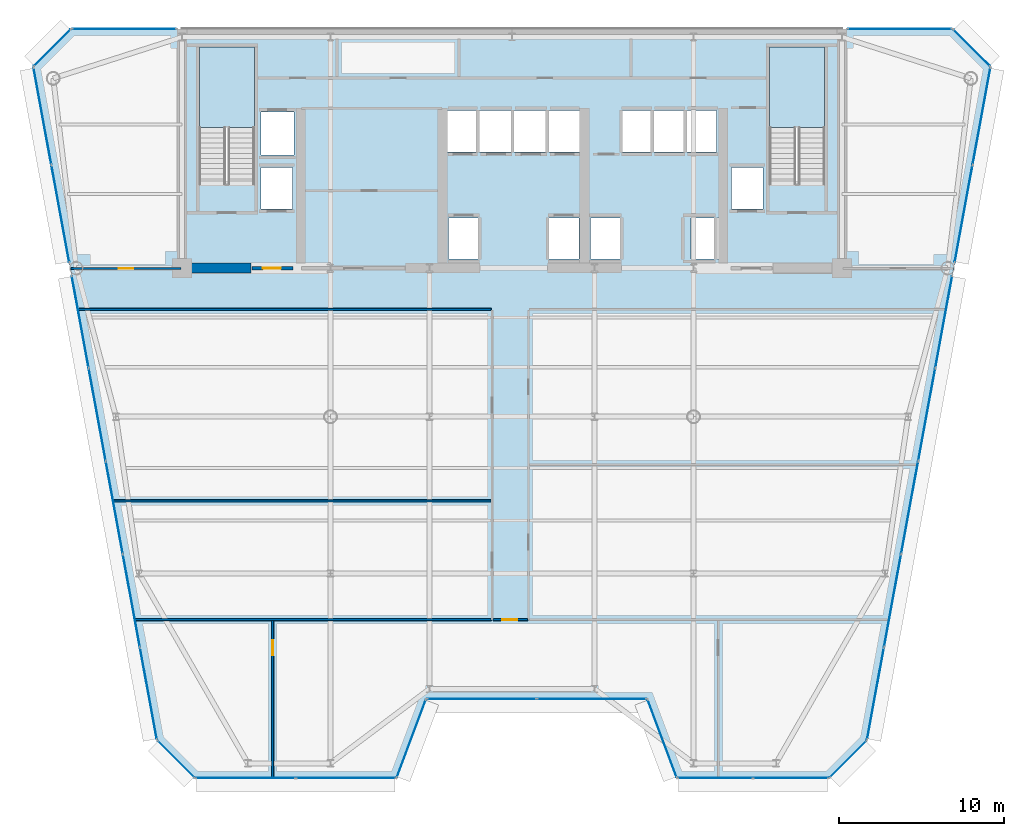
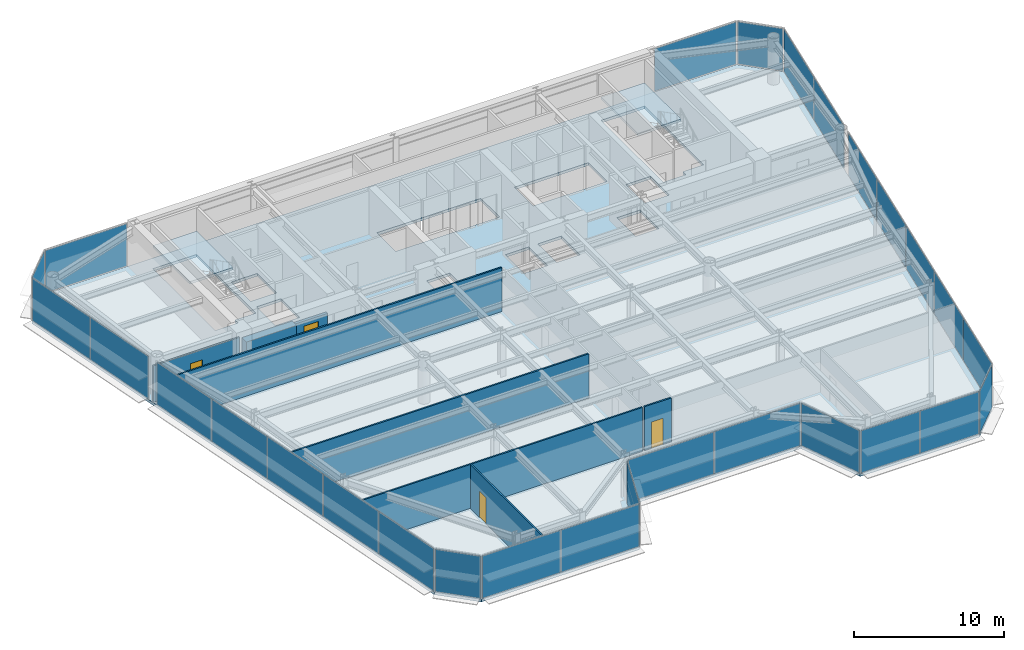
# One storey, part 9 of 16: 28 plates, 8 walls, 4 doors, 3 slabs, 4 openings, 17 elements without a shape of their own.
"""IFC4 building model written with IfcOpenShell, lengths in metres."""

from ifc_helpers import new_model, si_unit, direction, frame, frame_2d, origin, origin_2d, place, context, subcontext, project, spatial, polyline, rectangle, outline, extrude, source, transform, mapped, material, layer, layer_set, type_object, element, fill, aggregate, save


model = new_model("IFC4")

# Units and contexts
model_context = context("Model", 3, precision=1e-05, world=origin(), true_north=direction((0.0, 1.0)))
body_context = subcontext(model_context, "Body", "Model", "MODEL_VIEW")
ifc_project = project(units=[si_unit("LENGTHUNIT", "METRE"), si_unit("AREAUNIT", "SQUARE_METRE"), si_unit("VOLUMEUNIT", "CUBIC_METRE"), si_unit("PLANEANGLEUNIT", "RADIAN"), si_unit("MASSUNIT", "GRAM", prefix="KILO")], contexts=[model_context])

# Site, building, storey
site_placement = place(None, origin())
site = spatial("IfcSite", under=ifc_project, at=site_placement, CompositionType="ELEMENT")
building_placement = place(site_placement, origin())
building = spatial("IfcBuilding", under=site, at=building_placement, Name="Vaeldorn Concourse Tower", CompositionType="ELEMENT")
storey_placement = place(building_placement, frame((0.0, 0.0, 191.800048828125)))
storey = spatial("IfcBuildingStorey", under=building, at=storey_placement, Name="L49", CompositionType="ELEMENT", Elevation=191.800048828125)

# Stair, slab
ifc_material_1 = material(Name="Precast concrete C40/50", Category="concrete")
stair_type = type_object("IfcStairType", Name="STR-DOG-24x158", PredefinedType="HALF_TURN_STAIR", material=ifc_material_1)
stair_1_placement = place(storey_placement, origin())
stair_1 = element("IfcStair", 1, at=stair_1_placement, inside=storey, type_object=stair_type, Name="L49 West Core Exit Stair ST-1", PredefinedType="HALF_TURN_STAIR")
ifc_material_2 = material(Name="Concrete C40/50", Category="concrete")
ifc_layer_1 = layer(ifc_material_2, 0.199951171875)
ifc_layer_set_1 = layer_set([ifc_layer_1], Name="Concrete C40/50")
slab_type_1 = type_object("IfcSlabType", Name="SL-STAIR-LANDING", PredefinedType="LANDING", material=ifc_layer_set_1)
slab_1_placement = place(storey_placement, frame((0.0, 0.0, 1.699951171875)))
slab_1 = element("IfcSlab", 2, at=slab_1_placement, type_object=slab_type_1, Name="ST-1 landing 1", PredefinedType="LANDING", context=body_context, shape_type="SweptSolid", body=[
    extrude(outline(polyline([(18.39990234375, 45.010009765625), (18.39990234375, 49.89990234375), (15.050048828125, 49.89990234375), (15.050048828125, 45.010009765625), (18.39990234375, 45.010009765625)])), origin(), (0.0, 0.0, 1.0), 0.199951171875),
])
aggregate(stair_1, [slab_1])

stair_2_placement = place(storey_placement, origin())
stair_2 = element("IfcStair", 3, at=stair_2_placement, inside=storey, type_object=stair_type, Name="L49 East Core Exit Stair ST-2", PredefinedType="HALF_TURN_STAIR")
slab_2_placement = place(storey_placement, frame((0.0, 0.0, 1.699951171875)))
slab_2 = element("IfcSlab", 4, at=slab_2_placement, type_object=slab_type_1, Name="ST-2 landing 1", PredefinedType="LANDING", context=body_context, shape_type="SweptSolid", body=[
    extrude(outline(polyline([(52.949951171875, 45.010009765625), (52.949951171875, 49.89990234375), (49.60009765625, 49.89990234375), (49.60009765625, 45.010009765625), (52.949951171875, 45.010009765625)])), origin(), (0.0, 0.0, 1.0), 0.199951171875),
])
aggregate(stair_2, [slab_2])

# Slab
ifc_layer_2 = layer(ifc_material_2, 0.219970703125)
ifc_layer_set_2 = layer_set([ifc_layer_2], Name="Concrete C40/50")
slab_type_2 = type_object("IfcSlabType", Name="SL-TYP-220", PredefinedType="FLOOR", material=ifc_layer_set_2)
slab_3_placement = place(storey_placement, frame((0.0, 0.0, -0.219970703125)))
element("IfcSlab", 5, at=slab_3_placement, inside=storey, type_object=slab_type_2, Name="Structural Floor Slab L49", PredefinedType="FLOOR", context=body_context, shape_type="SweptSolid", body=[
    extrude(outline(polyline([(14.791015625, 5.60009765625), (27.0, 5.60009765625), (28.800048828125, 10.39990234375), (42.199951171875, 10.39990234375), (44.0, 5.60009765625), (53.208984375, 5.60009765625), (55.509033203125, 7.89990234375), (63.0, 48.699951171875), (60.699951171875, 51.0), (7.300048828125, 51.0), (5.0, 48.699951171875), (12.490966796875, 7.89990234375), (14.791015625, 5.60009765625)]), holes=[polyline([(18.39990234375, 42.0), (18.39990234375, 49.89990234375), (15.050048828125, 49.89990234375), (15.050048828125, 41.60009765625), (16.800048828125, 41.60009765625), (16.800048828125, 42.0), (18.39990234375, 42.0)]), polyline([(52.949951171875, 42.0), (52.949951171875, 49.89990234375), (49.60009765625, 49.89990234375), (49.60009765625, 41.60009765625), (51.35009765625, 41.60009765625), (51.35009765625, 42.0), (52.949951171875, 42.0)]), polyline([(30.14990234375, 37.050048828125), (31.949951171875, 37.050048828125), (31.949951171875, 39.550048828125), (30.14990234375, 39.550048828125), (30.14990234375, 37.050048828125)]), polyline([(36.25, 37.050048828125), (38.050048828125, 37.050048828125), (38.050048828125, 39.550048828125), (36.25, 39.550048828125), (36.25, 37.050048828125)]), polyline([(30.10009765625, 43.550048828125), (38.10009765625, 43.550048828125), (38.10009765625, 46.050048828125), (30.10009765625, 46.050048828125), (30.10009765625, 43.550048828125)]), polyline([(38.75, 37.050048828125), (40.550048828125, 37.050048828125), (40.550048828125, 39.550048828125), (38.75, 39.550048828125), (38.75, 37.050048828125)]), polyline([(44.85009765625, 37.050048828125), (46.64990234375, 37.050048828125), (46.64990234375, 39.550048828125), (44.85009765625, 39.550048828125), (44.85009765625, 37.050048828125)]), polyline([(40.699951171875, 43.550048828125), (46.39990234375, 43.550048828125), (46.39990234375, 46.050048828125), (40.699951171875, 46.050048828125), (40.699951171875, 43.550048828125)]), polyline([(18.800048828125, 43.35009765625), (20.800048828125, 43.35009765625), (20.800048828125, 45.949951171875), (18.800048828125, 45.949951171875), (18.800048828125, 43.35009765625)]), polyline([(18.800048828125, 40.10009765625), (20.699951171875, 40.10009765625), (20.699951171875, 42.60009765625), (18.800048828125, 42.60009765625), (18.800048828125, 40.10009765625)]), polyline([(47.300048828125, 40.10009765625), (49.199951171875, 40.10009765625), (49.199951171875, 42.60009765625), (47.300048828125, 42.60009765625), (47.300048828125, 40.10009765625)])]), origin(), (0.0, 0.0, 1.0), 0.219970703125),
])

# Curtain wall, plate
ifc_material_3 = material(Name="Anodised Bronze Aluminium", Category="aluminium")
ifc_layer_3 = layer(ifc_material_3, 0.18994140625)
ifc_layer_set_3 = layer_set([ifc_layer_3], Name="Anodised Bronze Aluminium")
curtain_wall_type = type_object("IfcCurtainWallType", Name="CW-SYS-03", PredefinedType="NOTDEFINED", material=ifc_layer_set_3)
curtain_wall_1_placement = place(storey_placement, origin())
curtain_wall_1 = element("IfcCurtainWall", 6, at=curtain_wall_1_placement, inside=storey, type_object=curtain_wall_type, Name="Unitised Curtain Wall CW-L49-E02-1", PredefinedType="NOTDEFINED")
ifc_material_4 = material(Name="Bronze Tinted Low-E Insulated Glass", Category="glass")
ifc_layer_4 = layer(ifc_material_4, 0.031982421875)
ifc_layer_set_4 = layer_set([ifc_layer_4], Name="Bronze Tinted Low-E Insulated Glass")
plate_type = type_object("IfcPlateType", Name="CWP-VISION-32", PredefinedType="CURTAIN_PANEL", material=ifc_layer_set_4)
shared_shape_1 = source(origin(), body_context, "Body", "SweptSolid", [
    extrude(rectangle(XDim=4.996337890625, YDim=0.031982421875, at=origin_2d()), origin(), (0.0, 0.0, 1.0), 3.449951171875),
])
plate_1_placement = place(storey_placement, frame((27.89990234375, 8.0, 0.06494140625), z_axis=(0.0, 0.0, 1.0), x_axis=(0.351123441595, 0.936329177566, 0.0)))
plate_1 = element("IfcPlate", 7, at=plate_1_placement, type_object=plate_type, Name="CW-03 panel 1.1", PredefinedType="CURTAIN_PANEL", context=body_context, shape_type="MappedRepresentation", body=[
    mapped(shared_shape_1, transform((0.0, 0.0, 0.0), scale=1.0)),
])
aggregate(curtain_wall_1, [plate_1])

curtain_wall_2_placement = place(storey_placement, origin())
curtain_wall_2 = element("IfcCurtainWall", 8, at=curtain_wall_2_placement, inside=storey, type_object=curtain_wall_type, Name="Unitised Curtain Wall CW-L49-E04-1", PredefinedType="NOTDEFINED")
plate_2_placement = place(storey_placement, frame((43.10009765625, 8.0, 0.06494140625), z_axis=(0.0, 0.0, 1.0), x_axis=(0.351123441595, -0.936329177566, 0.0)))
plate_2 = element("IfcPlate", 9, at=plate_2_placement, type_object=plate_type, Name="CW-03 panel 1.1", PredefinedType="CURTAIN_PANEL", context=body_context, shape_type="MappedRepresentation", body=[
    mapped(shared_shape_1, transform((0.0, 0.0, 0.0), scale=1.0)),
])
aggregate(curtain_wall_2, [plate_2])

# Curtain wall, plates
curtain_wall_3_placement = place(storey_placement, origin())
curtain_wall_3 = element("IfcCurtainWall", 10, at=curtain_wall_3_placement, inside=storey, type_object=curtain_wall_type, Name="Unitised Curtain Wall CW-L49-E03-1", PredefinedType="NOTDEFINED")
shared_shape_2 = source(origin(), body_context, "Body", "SweptSolid", [
    extrude(rectangle(XDim=6.6025390625, YDim=0.031982421875, at=origin_2d()), origin(), (0.0, 0.0, 1.0), 3.449951171875),
])
plate_3_placement = place(storey_placement, frame((32.166259765625, 10.39990234375, 0.06494140625), z_axis=(0.0, 0.0, 1.0), x_axis=(1.0, 0.0, 0.0)))
plate_3 = element("IfcPlate", 11, at=plate_3_placement, type_object=plate_type, Name="CW-03 panel 1.1", PredefinedType="CURTAIN_PANEL", context=body_context, shape_type="MappedRepresentation", body=[
    mapped(shared_shape_2, transform((0.0, 0.0, 0.0), scale=1.0)),
])
plate_4_placement = place(storey_placement, frame((38.833740234375, 10.39990234375, 0.06494140625), z_axis=(0.0, 0.0, 1.0), x_axis=(1.0, 0.0, 0.0)))
plate_4 = element("IfcPlate", 12, at=plate_4_placement, type_object=plate_type, Name="CW-03 panel 2.1", PredefinedType="CURTAIN_PANEL", context=body_context, shape_type="MappedRepresentation", body=[
    mapped(shared_shape_2, transform((0.0, 0.0, 0.0), scale=1.0)),
])
aggregate(curtain_wall_3, [plate_3, plate_4])

# Curtain wall, plate
curtain_wall_4_placement = place(storey_placement, origin())
curtain_wall_4 = element("IfcCurtainWall", 13, at=curtain_wall_4_placement, inside=storey, type_object=curtain_wall_type, Name="Unitised Curtain Wall CW-L49-E06-1", PredefinedType="NOTDEFINED")
shared_shape_3 = source(origin(), body_context, "Body", "SweptSolid", [
    extrude(rectangle(XDim=3.122802734375, YDim=0.031982421875, at=origin_2d()), origin(), (0.0, 0.0, 1.0), 3.449951171875),
])
plate_5_placement = place(storey_placement, frame((54.35888671875, 6.75, 0.06494140625), z_axis=(0.0, 0.0, 1.0), x_axis=(0.707106781187, 0.707106781187, 0.0)))
plate_5 = element("IfcPlate", 14, at=plate_5_placement, type_object=plate_type, Name="CW-03 panel 1.1", PredefinedType="CURTAIN_PANEL", context=body_context, shape_type="MappedRepresentation", body=[
    mapped(shared_shape_3, transform((0.0, 0.0, 0.0), scale=1.0)),
])
aggregate(curtain_wall_4, [plate_5])

curtain_wall_5_placement = place(storey_placement, origin())
curtain_wall_5 = element("IfcCurtainWall", 15, at=curtain_wall_5_placement, inside=storey, type_object=curtain_wall_type, Name="Unitised Curtain Wall CW-L49-E08-1", PredefinedType="NOTDEFINED")
plate_6_placement = place(storey_placement, frame((61.85009765625, 49.85009765625, 0.06494140625), z_axis=(0.0, 0.0, 1.0), x_axis=(-0.707106781187, 0.707106781187, 0.0)))
plate_6 = element("IfcPlate", 16, at=plate_6_placement, type_object=plate_type, Name="CW-03 panel 1.1", PredefinedType="CURTAIN_PANEL", context=body_context, shape_type="MappedRepresentation", body=[
    mapped(shared_shape_3, transform((0.0, 0.0, 0.0), scale=1.0)),
])
aggregate(curtain_wall_5, [plate_6])

curtain_wall_6_placement = place(storey_placement, origin())
curtain_wall_6 = element("IfcCurtainWall", 17, at=curtain_wall_6_placement, inside=storey, type_object=curtain_wall_type, Name="Unitised Curtain Wall CW-L49-E10-1", PredefinedType="NOTDEFINED")
plate_7_placement = place(storey_placement, frame((6.14990234375, 49.85009765625, 0.06494140625), z_axis=(0.0, 0.0, 1.0), x_axis=(-0.707106781187, -0.707106781187, 0.0)))
plate_7 = element("IfcPlate", 18, at=plate_7_placement, type_object=plate_type, Name="CW-03 panel 1.1", PredefinedType="CURTAIN_PANEL", context=body_context, shape_type="MappedRepresentation", body=[
    mapped(shared_shape_3, transform((0.0, 0.0, 0.0), scale=1.0)),
])
aggregate(curtain_wall_6, [plate_7])

curtain_wall_7_placement = place(storey_placement, origin())
curtain_wall_7 = element("IfcCurtainWall", 19, at=curtain_wall_7_placement, inside=storey, type_object=curtain_wall_type, Name="Unitised Curtain Wall CW-L49-E12-1", PredefinedType="NOTDEFINED")
plate_8_placement = place(storey_placement, frame((13.64111328125, 6.75, 0.06494140625), z_axis=(0.0, 0.0, 1.0), x_axis=(0.707106781187, -0.707106781187, 0.0)))
plate_8 = element("IfcPlate", 20, at=plate_8_placement, type_object=plate_type, Name="CW-03 panel 1.1", PredefinedType="CURTAIN_PANEL", context=body_context, shape_type="MappedRepresentation", body=[
    mapped(shared_shape_3, transform((0.0, 0.0, 0.0), scale=1.0)),
])
aggregate(curtain_wall_7, [plate_8])

curtain_wall_8_placement = place(storey_placement, origin())
curtain_wall_8 = element("IfcCurtainWall", 21, at=curtain_wall_8_placement, inside=storey, type_object=curtain_wall_type, Name="Unitised Curtain Wall CW-L49-E09-1", PredefinedType="NOTDEFINED")
shared_shape_4 = source(origin(), body_context, "Body", "SweptSolid", [
    extrude(rectangle(XDim=6.27490234375, YDim=0.031982421875, at=origin_2d()), origin(), (0.0, 0.0, 1.0), 3.449951171875),
])
plate_9_placement = place(storey_placement, frame((57.49755859375, 51.0, 0.06494140625), z_axis=(0.0, 0.0, 1.0), x_axis=(-1.0, 0.0, 0.0)))
plate_9 = element("IfcPlate", 22, at=plate_9_placement, type_object=plate_type, Name="CW-03 panel 1.1", PredefinedType="CURTAIN_PANEL", context=body_context, shape_type="MappedRepresentation", body=[
    mapped(shared_shape_4, transform((0.0, 0.0, 0.0), scale=1.0)),
])
aggregate(curtain_wall_8, [plate_9])

curtain_wall_9_placement = place(storey_placement, origin())
curtain_wall_9 = element("IfcCurtainWall", 23, at=curtain_wall_9_placement, inside=storey, type_object=curtain_wall_type, Name="Unitised Curtain Wall CW-L49-E09-2", PredefinedType="NOTDEFINED")
plate_10_placement = place(storey_placement, frame((10.50244140625, 51.0, 0.06494140625), z_axis=(0.0, 0.0, 1.0), x_axis=(-1.0, 0.0, 0.0)))
plate_10 = element("IfcPlate", 24, at=plate_10_placement, type_object=plate_type, Name="CW-03 panel 1.1", PredefinedType="CURTAIN_PANEL", context=body_context, shape_type="MappedRepresentation", body=[
    mapped(shared_shape_4, transform((0.0, 0.0, 0.0), scale=1.0)),
])
aggregate(curtain_wall_9, [plate_10])

# Curtain wall, plates
curtain_wall_10_placement = place(storey_placement, origin())
curtain_wall_10 = element("IfcCurtainWall", 25, at=curtain_wall_10_placement, inside=storey, type_object=curtain_wall_type, Name="Unitised Curtain Wall CW-L49-E07-1", PredefinedType="NOTDEFINED")
shared_shape_5 = source(origin(), body_context, "Body", "SweptSolid", [
    extrude(rectangle(XDim=5.63330078125, YDim=0.031982421875, at=origin_2d()), origin(), (0.0, 0.0, 1.0), 3.449951171875),
])
plate_11_placement = place(storey_placement, frame((56.029296875, 10.734375, 0.06494140625), z_axis=(0.0, 0.0, 1.0), x_axis=(0.180585309951, 0.983559325018, 0.0)))
plate_11 = element("IfcPlate", 26, at=plate_11_placement, type_object=plate_type, Name="CW-03 panel 1.1", PredefinedType="CURTAIN_PANEL", context=body_context, shape_type="MappedRepresentation", body=[
    mapped(shared_shape_5, transform((0.0, 0.0, 0.0), scale=1.0)),
])
plate_12_placement = place(storey_placement, frame((60.1630859375, 33.249267578125, 0.06494140625), z_axis=(0.0, 0.0, 1.0), x_axis=(0.180585309951, 0.983559325018, 0.0)))
plate_12 = element("IfcPlate", 27, at=plate_12_placement, type_object=plate_type, Name="CW-03 panel 5.1", PredefinedType="CURTAIN_PANEL", context=body_context, shape_type="MappedRepresentation", body=[
    mapped(shared_shape_5, transform((0.0, 0.0, 0.0), scale=1.0)),
])

curtain_wall_11_placement = place(storey_placement, origin())
curtain_wall_11 = element("IfcCurtainWall", 28, at=curtain_wall_11_placement, inside=storey, type_object=curtain_wall_type, Name="Unitised Curtain Wall CW-L49-E11-2", PredefinedType="NOTDEFINED")
plate_13_placement = place(storey_placement, frame((7.8369140625, 33.249267578125, 0.06494140625), z_axis=(0.0, 0.0, 1.0), x_axis=(0.180585309951, -0.983559325018, 0.0)))
plate_13 = element("IfcPlate", 29, at=plate_13_placement, type_object=plate_type, Name="CW-03 panel 1.1", PredefinedType="CURTAIN_PANEL", context=body_context, shape_type="MappedRepresentation", body=[
    mapped(shared_shape_5, transform((0.0, 0.0, 0.0), scale=1.0)),
])
plate_14_placement = place(storey_placement, frame((11.970703125, 10.734375, 0.06494140625), z_axis=(0.0, 0.0, 1.0), x_axis=(0.180585309951, -0.983559325018, 0.0)))
plate_14 = element("IfcPlate", 30, at=plate_14_placement, type_object=plate_type, Name="CW-03 panel 5.1", PredefinedType="CURTAIN_PANEL", context=body_context, shape_type="MappedRepresentation", body=[
    mapped(shared_shape_5, transform((0.0, 0.0, 0.0), scale=1.0)),
])

# Plate
shared_shape_6 = source(origin(), body_context, "Body", "SweptSolid", [
    extrude(rectangle(XDim=5.666015625, YDim=0.031982421875, at=origin_2d()), origin(), (0.0, 0.0, 1.0), 3.449951171875),
])
plate_15_placement = place(storey_placement, frame((57.061279296875, 16.35498046875, 0.06494140625), z_axis=(0.0, 0.0, 1.0), x_axis=(0.180585309951, 0.983559325018, 0.0)))
plate_15 = element("IfcPlate", 31, at=plate_15_placement, type_object=plate_type, Name="CW-03 panel 2.1", PredefinedType="CURTAIN_PANEL", context=body_context, shape_type="MappedRepresentation", body=[
    mapped(shared_shape_6, transform((0.0, 0.0, 0.0), scale=1.0)),
])

plate_16_placement = place(storey_placement, frame((58.09619140625, 21.99169921875, 0.06494140625), z_axis=(0.0, 0.0, 1.0), x_axis=(0.180585309951, 0.983559325018, 0.0)))
plate_16 = element("IfcPlate", 32, at=plate_16_placement, type_object=plate_type, Name="CW-03 panel 3.1", PredefinedType="CURTAIN_PANEL", context=body_context, shape_type="MappedRepresentation", body=[
    mapped(shared_shape_6, transform((0.0, 0.0, 0.0), scale=1.0)),
])

plate_17_placement = place(storey_placement, frame((59.131103515625, 27.62841796875, 0.06494140625), z_axis=(0.0, 0.0, 1.0), x_axis=(0.180585309951, 0.983559325018, 0.0)))
plate_17 = element("IfcPlate", 33, at=plate_17_placement, type_object=plate_type, Name="CW-03 panel 4.1", PredefinedType="CURTAIN_PANEL", context=body_context, shape_type="MappedRepresentation", body=[
    mapped(shared_shape_6, transform((0.0, 0.0, 0.0), scale=1.0)),
])

aggregate(curtain_wall_10, [plate_11, plate_15, plate_16, plate_17, plate_12])

plate_18_placement = place(storey_placement, frame((8.868896484375, 27.62841796875, 0.06494140625), z_axis=(0.0, 0.0, 1.0), x_axis=(0.180585309951, -0.983559325018, 0.0)))
plate_18 = element("IfcPlate", 34, at=plate_18_placement, type_object=plate_type, Name="CW-03 panel 2.1", PredefinedType="CURTAIN_PANEL", context=body_context, shape_type="MappedRepresentation", body=[
    mapped(shared_shape_6, transform((0.0, 0.0, 0.0), scale=1.0)),
])

plate_19_placement = place(storey_placement, frame((9.90380859375, 21.99169921875, 0.06494140625), z_axis=(0.0, 0.0, 1.0), x_axis=(0.180585309951, -0.983559325018, 0.0)))
plate_19 = element("IfcPlate", 35, at=plate_19_placement, type_object=plate_type, Name="CW-03 panel 3.1", PredefinedType="CURTAIN_PANEL", context=body_context, shape_type="MappedRepresentation", body=[
    mapped(shared_shape_6, transform((0.0, 0.0, 0.0), scale=1.0)),
])

plate_20_placement = place(storey_placement, frame((10.938720703125, 16.35498046875, 0.06494140625), z_axis=(0.0, 0.0, 1.0), x_axis=(0.180585309951, -0.983559325018, 0.0)))
plate_20 = element("IfcPlate", 36, at=plate_20_placement, type_object=plate_type, Name="CW-03 panel 4.1", PredefinedType="CURTAIN_PANEL", context=body_context, shape_type="MappedRepresentation", body=[
    mapped(shared_shape_6, transform((0.0, 0.0, 0.0), scale=1.0)),
])

aggregate(curtain_wall_11, [plate_13, plate_18, plate_19, plate_20, plate_14])

# Curtain wall, plates
curtain_wall_12_placement = place(storey_placement, origin())
curtain_wall_12 = element("IfcCurtainWall", 37, at=curtain_wall_12_placement, inside=storey, type_object=curtain_wall_type, Name="Unitised Curtain Wall CW-L49-E07-2", PredefinedType="NOTDEFINED")
shared_shape_7 = source(origin(), body_context, "Body", "SweptSolid", [
    extrude(rectangle(XDim=5.9482421875, YDim=0.031982421875, at=origin_2d()), origin(), (0.0, 0.0, 1.0), 3.449951171875),
])
plate_21_placement = place(storey_placement, frame((61.365234375, 39.796630859375, 0.06494140625), z_axis=(0.0, 0.0, 1.0), x_axis=(0.180584576845, 0.983559459619, 0.0)))
plate_21 = element("IfcPlate", 38, at=plate_21_placement, type_object=plate_type, Name="CW-03 panel 1.1", PredefinedType="CURTAIN_PANEL", context=body_context, shape_type="MappedRepresentation", body=[
    mapped(shared_shape_7, transform((0.0, 0.0, 0.0), scale=1.0)),
])
plate_22_placement = place(storey_placement, frame((62.451171875, 45.7109375, 0.06494140625), z_axis=(0.0, 0.0, 1.0), x_axis=(0.180584576845, 0.983559459619, 0.0)))
plate_22 = element("IfcPlate", 39, at=plate_22_placement, type_object=plate_type, Name="CW-03 panel 2.1", PredefinedType="CURTAIN_PANEL", context=body_context, shape_type="MappedRepresentation", body=[
    mapped(shared_shape_7, transform((0.0, 0.0, 0.0), scale=1.0)),
])
aggregate(curtain_wall_12, [plate_21, plate_22])

curtain_wall_13_placement = place(storey_placement, origin())
curtain_wall_13 = element("IfcCurtainWall", 40, at=curtain_wall_13_placement, inside=storey, type_object=curtain_wall_type, Name="Unitised Curtain Wall CW-L49-E11-1", PredefinedType="NOTDEFINED")
plate_23_placement = place(storey_placement, frame((5.548828125, 45.7109375, 0.06494140625), z_axis=(0.0, 0.0, 1.0), x_axis=(0.180584576845, -0.983559459619, 0.0)))
plate_23 = element("IfcPlate", 41, at=plate_23_placement, type_object=plate_type, Name="CW-03 panel 1.1", PredefinedType="CURTAIN_PANEL", context=body_context, shape_type="MappedRepresentation", body=[
    mapped(shared_shape_7, transform((0.0, 0.0, 0.0), scale=1.0)),
])
plate_24_placement = place(storey_placement, frame((6.634765625, 39.796630859375, 0.06494140625), z_axis=(0.0, 0.0, 1.0), x_axis=(0.180584576845, -0.983559459619, 0.0)))
plate_24 = element("IfcPlate", 42, at=plate_24_placement, type_object=plate_type, Name="CW-03 panel 2.1", PredefinedType="CURTAIN_PANEL", context=body_context, shape_type="MappedRepresentation", body=[
    mapped(shared_shape_7, transform((0.0, 0.0, 0.0), scale=1.0)),
])
aggregate(curtain_wall_13, [plate_23, plate_24])

curtain_wall_14_placement = place(storey_placement, origin())
curtain_wall_14 = element("IfcCurtainWall", 43, at=curtain_wall_14_placement, inside=storey, type_object=curtain_wall_type, Name="Unitised Curtain Wall CW-L49-E01-1", PredefinedType="NOTDEFINED")
shared_shape_8 = source(origin(), body_context, "Body", "SweptSolid", [
    extrude(rectangle(XDim=6.007080078125, YDim=0.031982421875, at=origin_2d()), origin(), (0.0, 0.0, 1.0), 3.449951171875),
])
plate_25_placement = place(storey_placement, frame((17.859619140625, 5.60009765625, 0.06494140625), z_axis=(0.0, 0.0, 1.0), x_axis=(1.0, 0.0, 0.0)))
plate_25 = element("IfcPlate", 44, at=plate_25_placement, type_object=plate_type, Name="CW-03 panel 1.1", PredefinedType="CURTAIN_PANEL", context=body_context, shape_type="MappedRepresentation", body=[
    mapped(shared_shape_8, transform((0.0, 0.0, 0.0), scale=1.0)),
])
plate_26_placement = place(storey_placement, frame((23.931396484375, 5.60009765625, 0.06494140625), z_axis=(0.0, 0.0, 1.0), x_axis=(1.0, 0.0, 0.0)))
plate_26 = element("IfcPlate", 45, at=plate_26_placement, type_object=plate_type, Name="CW-03 panel 2.1", PredefinedType="CURTAIN_PANEL", context=body_context, shape_type="MappedRepresentation", body=[
    mapped(shared_shape_8, transform((0.0, 0.0, 0.0), scale=1.0)),
])
aggregate(curtain_wall_14, [plate_25, plate_26])

curtain_wall_15_placement = place(storey_placement, origin())
curtain_wall_15 = element("IfcCurtainWall", 46, at=curtain_wall_15_placement, inside=storey, type_object=curtain_wall_type, Name="Unitised Curtain Wall CW-L49-E05-1", PredefinedType="NOTDEFINED")
shared_shape_9 = source(origin(), body_context, "Body", "SweptSolid", [
    extrude(rectangle(XDim=4.507080078125, YDim=0.031982421875, at=origin_2d()), origin(), (0.0, 0.0, 1.0), 3.449951171875),
])
plate_27_placement = place(storey_placement, frame((46.318603515625, 5.60009765625, 0.06494140625), z_axis=(0.0, 0.0, 1.0), x_axis=(1.0, 0.0, 0.0)))
plate_27 = element("IfcPlate", 47, at=plate_27_placement, type_object=plate_type, Name="CW-03 panel 1.1", PredefinedType="CURTAIN_PANEL", context=body_context, shape_type="MappedRepresentation", body=[
    mapped(shared_shape_9, transform((0.0, 0.0, 0.0), scale=1.0)),
])
plate_28_placement = place(storey_placement, frame((50.890380859375, 5.60009765625, 0.06494140625), z_axis=(0.0, 0.0, 1.0), x_axis=(1.0, 0.0, 0.0)))
plate_28 = element("IfcPlate", 48, at=plate_28_placement, type_object=plate_type, Name="CW-03 panel 2.1", PredefinedType="CURTAIN_PANEL", context=body_context, shape_type="MappedRepresentation", body=[
    mapped(shared_shape_9, transform((0.0, 0.0, 0.0), scale=1.0)),
])
aggregate(curtain_wall_15, [plate_27, plate_28])

# Walls
ifc_material_5 = material(Name="Concrete C50/60", Category="concrete")
ifc_layer_5 = layer(ifc_material_5, 0.60009765625)
ifc_layer_set_5 = layer_set([ifc_layer_5], Name="Concrete C50/60")
wall_type_1 = type_object("IfcWallType", Name="WL-CORE-600", PredefinedType="SHEAR", material=ifc_layer_set_5)
wall_1_placement = place(storey_placement, frame((14.320068359375, 36.5, 0.0), z_axis=(0.0, 0.0, 1.0), x_axis=(1.0, 0.0, 0.0)))
element("IfcWall", 49, at=wall_1_placement, inside=storey, type_object=wall_type_1, Name="Rear Core Shear Wall L49 S1", PredefinedType="SHEAR", context=body_context, shape_type="SweptSolid", body=[
    extrude(rectangle(XDim=3.8798828125, YDim=0.60009765625, at=frame_2d((1.93994140625, 0.0))), origin(), (0.0, 0.0, 1.0), 2.579833984375),
])
ifc_material_6 = material(Name="Gypsum Board Partition", Category="gypsum")
ifc_layer_6 = layer(ifc_material_6, 0.1201171875)
ifc_layer_set_6 = layer_set([ifc_layer_6], Name="Gypsum Board Partition")
wall_type_2 = type_object("IfcWallType", Name="WL-PART-120", PredefinedType="PARTITIONING", material=ifc_layer_set_6)
wall_2_placement = place(storey_placement, frame((7.739013671875, 34.0, 0.0), z_axis=(0.0, 0.0, 1.0), x_axis=(1.0, 0.0, 0.0)))
element("IfcWall", 50, at=wall_2_placement, inside=storey, type_object=wall_type_2, Name="Interior Wall PW-L49-C2SW", PredefinedType="PARTITIONING", context=body_context, shape_type="SweptSolid", body=[
    extrude(rectangle(XDim=25.0009765625, YDim=0.1201171875, at=frame_2d((12.50048828125, 0.0))), origin(), (0.0, 0.0, 1.0), 3.579833984375),
])

# Wall, opening, door
wall_3_placement = place(storey_placement, frame((32.860107421875, 15.199951171875, 0.0), z_axis=(0.0, 0.0, 1.0), x_axis=(1.0, 0.0, 0.0)))
wall_3 = element("IfcWall", 51, at=wall_3_placement, inside=storey, type_object=wall_type_2, Name="Interior Wall PW-L49-SP2S", PredefinedType="PARTITIONING", context=body_context, shape_type="SweptSolid", body=[
    extrude(rectangle(XDim=2.079833984375, YDim=0.1201171875, at=frame_2d((1.0400390625, 0.0))), origin(), (0.0, 0.0, 1.0), 3.579833984375),
])
opening_1_placement = place(wall_3_placement, frame((0.550048828125, 0.0, 0.0)))
opening_1 = element("IfcOpeningElement", 52, at=opening_1_placement, cuts=wall_3, Name="Opening D-03", PredefinedType="OPENING", context=body_context, shape_type="SweptSolid", body=[
    extrude(rectangle(XDim=0.89990234375, YDim=2.14990234375, at=frame_2d((0.449951171875, 1.074951171875))), frame((0.0, 0.070068359375, 0.0), z_axis=(0.0, -1.0, 0.0), x_axis=(1.0, 0.0, 0.0)), (0.0, 0.0, 1.0), 0.14013671875),
])
ifc_material_7 = material(Name="Acoustic Bronze-Framed Glass Door", Category="glass")
door_type_1 = type_object("IfcDoorType", Name="DR-INT-900", OperationType="NOTDEFINED", PredefinedType="DOOR", material=ifc_material_7)
shared_shape_10 = source(origin(), body_context, "Body", "SweptSolid", [
    extrude(rectangle(XDim=0.89990234375, YDim=2.14990234375, at=frame_2d((0.449951171875, 1.074951171875))), frame((0.0, 0.02490234375, 0.0), z_axis=(0.0, -1.0, 0.0), x_axis=(1.0, 0.0, 0.0)), (0.0, 0.0, 1.0), 0.050048828125),
])
door_1_placement = place(opening_1_placement, origin())
door_1 = element("IfcDoor", 53, at=door_1_placement, inside=storey, type_object=door_type_1, Name="Interior Door DR-L49-Z2SFM", OperationType="SINGLE_SWING_LEFT", OverallHeight=2.14990234375, OverallWidth=0.89990234375, PredefinedType="DOOR", context=body_context, shape_type="MappedRepresentation", body=[
    mapped(shared_shape_10, transform((0.0, 0.0, 0.0), scale=1.0)),
])
fill(opening_1, door_1)

wall_4_placement = place(storey_placement, frame((7.2890625, 36.47998046875, 0.0), z_axis=(0.0, 0.0, 1.0), x_axis=(1.0, 0.0, 0.0)))
wall_4 = element("IfcWall", 54, at=wall_4_placement, inside=storey, type_object=wall_type_2, Name="Interior Wall PW-L49-NWS", PredefinedType="PARTITIONING", context=body_context, shape_type="SweptSolid", body=[
    extrude(rectangle(XDim=6.65087890625, YDim=0.1201171875, at=frame_2d((3.325439453125, 0.0))), origin(), (0.0, 0.0, 1.0), 2.969970703125),
])
opening_2_placement = place(wall_4_placement, frame((2.875, 0.0, 0.0)))
opening_2 = element("IfcOpeningElement", 55, at=opening_2_placement, cuts=wall_4, Name="Opening D-03", PredefinedType="OPENING", context=body_context, shape_type="SweptSolid", body=[
    extrude(rectangle(XDim=0.89990234375, YDim=2.14990234375, at=frame_2d((0.449951171875, 1.074951171875))), frame((0.0, 0.070068359375, 0.0), z_axis=(0.0, -1.0, 0.0), x_axis=(1.0, 0.0, 0.0)), (0.0, 0.0, 1.0), 0.14013671875),
])
door_2_placement = place(opening_2_placement, origin())
door_2 = element("IfcDoor", 56, at=door_2_placement, inside=storey, type_object=door_type_1, Name="Interior Door DR-L49-NWC", OperationType="SINGLE_SWING_LEFT", OverallHeight=2.14990234375, OverallWidth=0.89990234375, PredefinedType="DOOR", context=body_context, shape_type="MappedRepresentation", body=[
    mapped(shared_shape_10, transform((0.0, 0.0, 0.0), scale=1.0)),
])
fill(opening_2, door_2)

# Wall
wall_5_placement = place(storey_placement, frame((11.190673828125, 15.199951171875, 0.0), z_axis=(0.0, 0.0, 1.0), x_axis=(1.0, 0.0, 0.0)))
element("IfcWall", 57, at=wall_5_placement, inside=storey, type_object=wall_type_2, Name="Interior Wall PW-L49-S2WL", PredefinedType="PARTITIONING", context=body_context, shape_type="SweptSolid", body=[
    extrude(rectangle(XDim=21.54931640625, YDim=0.1201171875, at=frame_2d((10.774658203125, 0.0))), origin(), (0.0, 0.0, 1.0), 3.579833984375),
])

# Wall, opening, door
wall_6_placement = place(storey_placement, frame((19.5, 5.639892578125, 0.0), z_axis=(0.0, 0.0, 1.0), x_axis=(0.0, 1.0, 0.0)))
wall_6 = element("IfcWall", 58, at=wall_6_placement, inside=storey, type_object=wall_type_2, Name="Interior Wall PW-L49-Z2SFX1", PredefinedType="PARTITIONING", context=body_context, shape_type="SweptSolid", body=[
    extrude(rectangle(XDim=9.5, YDim=0.1201171875, at=frame_2d((4.75, 0.0))), origin(), (0.0, 0.0, 1.0), 3.579833984375),
])
opening_3_placement = place(wall_6_placement, frame((7.39990234375, 0.0, 0.0)))
opening_3 = element("IfcOpeningElement", 59, at=opening_3_placement, cuts=wall_6, Name="Opening D-03", PredefinedType="OPENING", context=body_context, shape_type="SweptSolid", body=[
    extrude(rectangle(XDim=0.89990234375, YDim=2.14990234375, at=frame_2d((0.449951171875, 1.074951171875))), frame((0.0, 0.070068359375, 0.0), z_axis=(0.0, -1.0, 0.0), x_axis=(1.0, 0.0, 0.0)), (0.0, 0.0, 1.0), 0.14013671875),
])
door_3_placement = place(opening_3_placement, origin())
door_3 = element("IfcDoor", 60, at=door_3_placement, inside=storey, type_object=door_type_1, Name="Interior Door DR-L49-Z2SFX1", OperationType="SINGLE_SWING_RIGHT", OverallHeight=2.14990234375, OverallWidth=0.89990234375, PredefinedType="DOOR", context=body_context, shape_type="MappedRepresentation", body=[
    mapped(shared_shape_10, transform((0.0, 0.0, 0.0), scale=1.0)),
])
fill(opening_3, door_3)

# Wall
wall_7_placement = place(storey_placement, frame((9.868896484375, 22.39990234375, 0.0), z_axis=(0.0, 0.0, 1.0), x_axis=(1.0, 0.0, 0.0)))
element("IfcWall", 61, at=wall_7_placement, inside=storey, type_object=wall_type_2, Name="Interior Wall PW-L49-Z2WY1", PredefinedType="PARTITIONING", context=body_context, shape_type="SweptSolid", body=[
    extrude(rectangle(XDim=22.87109375, YDim=0.1201171875, at=frame_2d((11.435546875, 0.0))), origin(), (0.0, 0.0, 1.0), 3.579833984375),
])

# Wall, opening, door
ifc_layer_7 = layer(ifc_material_5, 0.199951171875)
ifc_layer_set_7 = layer_set([ifc_layer_7], Name="Concrete C50/60")
wall_type_3 = type_object("IfcWallType", Name="WL-SHAFT-200", PredefinedType="SOLIDWALL", material=ifc_layer_set_7)
wall_8_placement = place(storey_placement, frame((18.25, 36.5, 0.0), z_axis=(0.0, 0.0, 1.0), x_axis=(1.0, 0.0, 0.0)))
wall_8 = element("IfcWall", 62, at=wall_8_placement, inside=storey, type_object=wall_type_3, Name="Interior Wall CW-L49-FF1S", PredefinedType="SOLIDWALL", context=body_context, shape_type="SweptSolid", body=[
    extrude(rectangle(XDim=2.469970703125, YDim=0.199951171875, at=frame_2d((1.23486328125, 0.0))), origin(), (0.0, 0.0, 1.0), 2.570068359375),
])
opening_4_placement = place(wall_8_placement, frame((0.64990234375, 0.0, 0.0)))
opening_4 = element("IfcOpeningElement", 63, at=opening_4_placement, cuts=wall_8, Name="Opening D-01", PredefinedType="OPENING", context=body_context, shape_type="SweptSolid", body=[
    extrude(rectangle(XDim=1.10009765625, YDim=2.14990234375, at=frame_2d((0.550048828125, 1.074951171875))), frame((0.0, 0.10986328125, 0.0), z_axis=(0.0, -1.0, 0.0), x_axis=(1.0, 0.0, 0.0)), (0.0, 0.0, 1.0), 0.219970703125),
])
ifc_material_8 = material(Name="Fire-Rated Timber and Steel Leaf", Category="steel")
door_type_2 = type_object("IfcDoorType", Name="DR-FD60-1100", OperationType="NOTDEFINED", PredefinedType="DOOR", material=ifc_material_8)
shared_shape_11 = source(origin(), body_context, "Body", "SweptSolid", [
    extrude(rectangle(XDim=1.10009765625, YDim=2.14990234375, at=frame_2d((0.550048828125, 1.074951171875))), frame((0.0, 0.02490234375, 0.0), z_axis=(0.0, -1.0, 0.0), x_axis=(1.0, 0.0, 0.0)), (0.0, 0.0, 1.0), 0.050048828125),
])
door_4_placement = place(opening_4_placement, origin())
door_4 = element("IfcDoor", 64, at=door_4_placement, inside=storey, type_object=door_type_2, Name="Interior Door DR-L49-FF1E", OperationType="SINGLE_SWING_RIGHT", OverallHeight=2.14990234375, OverallWidth=1.10009765625, PredefinedType="DOOR", context=body_context, shape_type="MappedRepresentation", body=[
    mapped(shared_shape_11, transform((0.0, 0.0, 0.0), scale=1.0)),
])
fill(opening_4, door_4)

save(model, "model.ifc")
